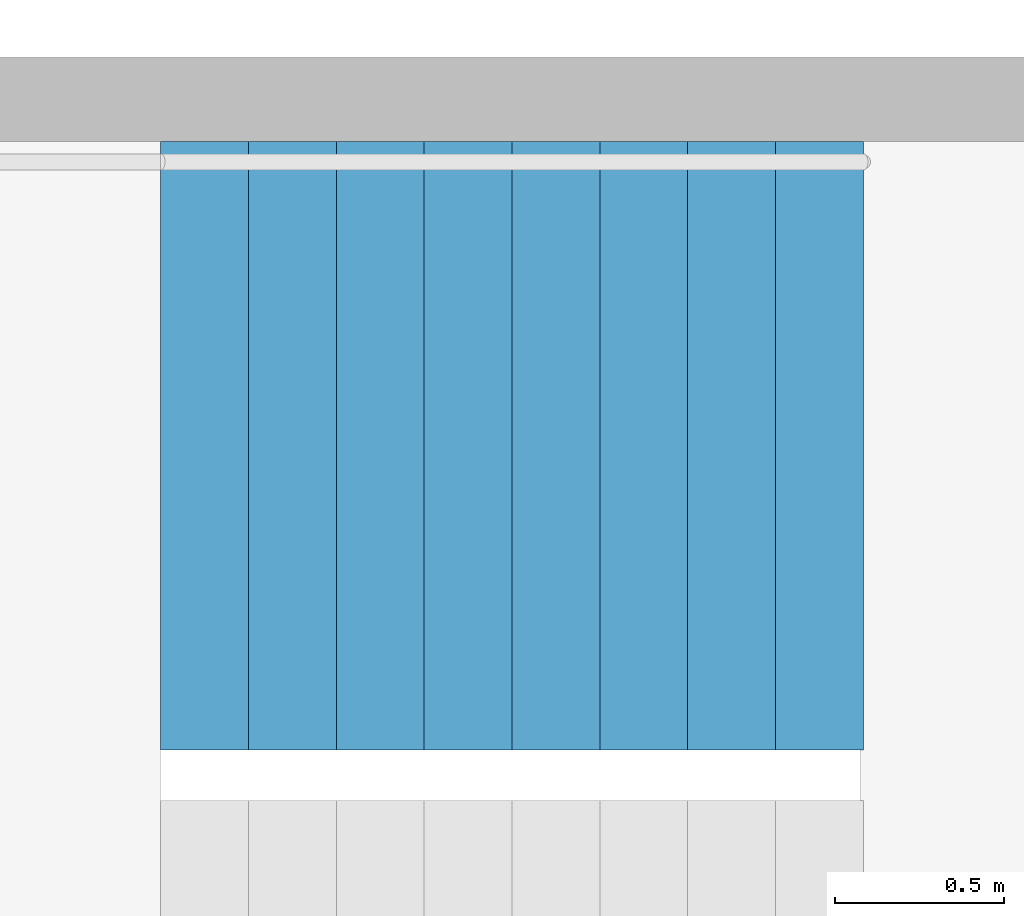
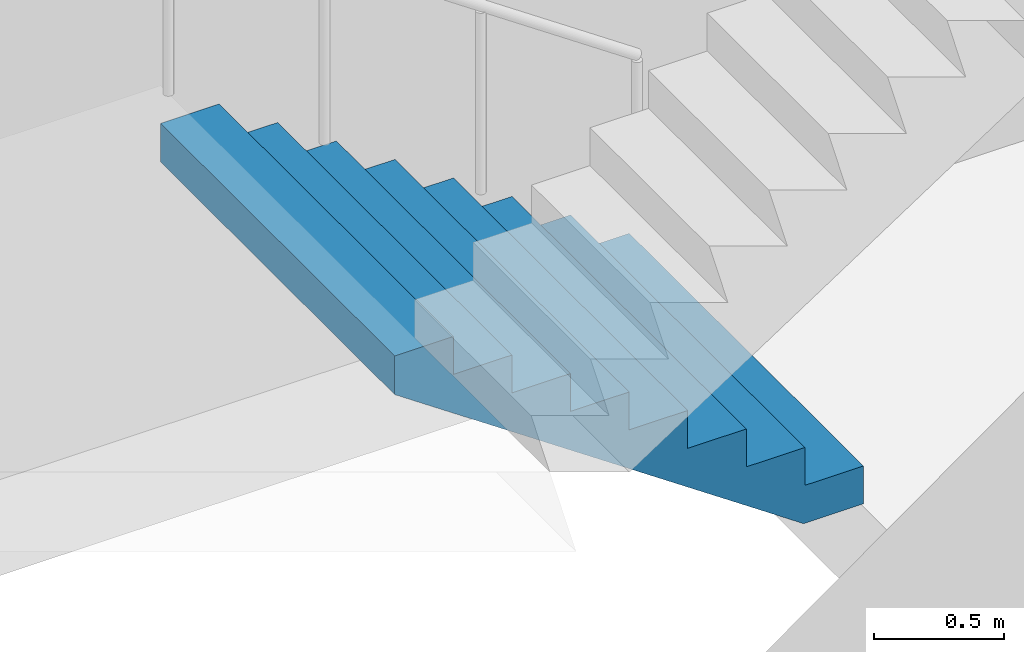
# One storey, part 19 of 26: 1 stair flight, 1 element without a shape of its own.
"""IFC4 building model written with IfcOpenShell, lengths in metres."""

from ifc_helpers import new_model, si_unit, direction, frame, origin, place, context, subcontext, project, spatial, triangles, material, type_object, element, aggregate, save


model = new_model("IFC4")

# Units and contexts
model_context = context("Model", 3, precision=1e-05, world=origin(), true_north=direction((0.0, 1.0)))
body_context = subcontext(model_context, "Body", "Model", "MODEL_VIEW")
ifc_project = project(units=[si_unit("LENGTHUNIT", "METRE"), si_unit("AREAUNIT", "SQUARE_METRE"), si_unit("VOLUMEUNIT", "CUBIC_METRE"), si_unit("PLANEANGLEUNIT", "RADIAN"), si_unit("MASSUNIT", "GRAM", prefix="KILO")], contexts=[model_context])

# Site, building, storey
site_placement = place(None, origin())
site = spatial("IfcSite", under=ifc_project, at=site_placement, CompositionType="ELEMENT")
building_placement = place(site_placement, origin())
building = spatial("IfcBuilding", under=site, at=building_placement, Name="Hakoniwa Tower and Hamabe Station Hall", CompositionType="ELEMENT")
storey_placement = place(building_placement, frame((0.0, 0.0, 189.800048828125)))
storey = spatial("IfcBuildingStorey", under=building, at=storey_placement, Name="L53", CompositionType="ELEMENT", Elevation=189.800048828125)

# Stair, stair flight
ifc_material_1 = material(Name="Concrete C40", Category="concrete")
stair_type = type_object("IfcStairType", Name="ESCAPE STAIR 1800", PredefinedType="HALF_TURN_STAIR", material=ifc_material_1)
stair_placement = place(storey_placement, origin())
stair = element("IfcStair", 1, at=stair_placement, inside=storey, type_object=stair_type, Name="Escape stair ST-2 L53", PredefinedType="HALF_TURN_STAIR")
ifc_material_2 = material(Name="Concrete C40", Category="concrete")
stair_flight_type = type_object("IfcStairFlightType", Name="STAIR FLIGHT 1800", PredefinedType="STRAIGHT", material=ifc_material_2)
stair_flight_placement = place(storey_placement, frame((-23.39990234375, -4.64990234375, 0.0), z_axis=(0.0, 0.0, 1.0), x_axis=(-1.0, 0.0, 0.0)))
stair_flight = element("IfcStairFlight", 2, at=stair_flight_placement, type_object=stair_flight_type, Name="ST-2 flight 1", NumberOfRisers=9, NumberOfTreads=8, PredefinedType="STRAIGHT", RiserHeight=0.177777778, TreadLength=0.26, context=body_context, shape_type="Tessellation", body=[
    triangles([(0.0, 0.89990234375, 0.0), (0.260009765625, 0.89990234375, 0.0), (0.265625, 0.89990234375, 0.0), (0.52001953125, 0.89990234375, 0.174072265625), (0.780029296875, 0.89990234375, 0.351806640625), (1.0400390625, 0.89990234375, 0.529541015625), (1.300048828125, 0.89990234375, 0.707275390625), (1.56005859375, 0.89990234375, 0.885009765625), (1.820068359375, 0.89990234375, 1.062744140625), (2.080078125, 0.89990234375, 1.24072265625), (2.080078125, 0.89990234375, 1.422119140625), (1.820068359375, 0.89990234375, 1.422119140625), (1.820068359375, 0.89990234375, 1.244384765625), (1.56005859375, 0.89990234375, 1.244384765625), (1.56005859375, 0.89990234375, 1.066650390625), (1.300048828125, 0.89990234375, 1.066650390625), (1.300048828125, 0.89990234375, 0.888916015625), (1.0400390625, 0.89990234375, 0.888916015625), (1.0400390625, 0.89990234375, 0.711181640625), (0.780029296875, 0.89990234375, 0.711181640625), (0.780029296875, 0.89990234375, 0.533447265625), (0.52001953125, 0.89990234375, 0.533447265625), (0.52001953125, 0.89990234375, 0.35546875), (0.265625, 0.89990234375, 0.35546875), (0.260009765625, 0.89990234375, 0.35546875), (0.260009765625, 0.89990234375, 0.177734375), (0.0, 0.89990234375, 0.177734375), (0.0, 0.06005859375, 0.0), (0.260009765625, 0.06005859375, 0.0), (0.265625, 0.06005859375, 0.0), (0.52001953125, 0.06005859375, 0.174072265625), (0.780029296875, 0.06005859375, 0.351806640625), (1.0400390625, 0.06005859375, 0.529541015625), (1.300048828125, 0.06005859375, 0.707275390625), (1.56005859375, 0.06005859375, 0.885009765625), (1.820068359375, 0.06005859375, 1.062744140625), (2.080078125, 0.06005859375, 1.24072265625), (2.080078125, 0.06005859375, 1.422119140625), (1.820068359375, 0.06005859375, 1.422119140625), (1.820068359375, 0.06005859375, 1.244384765625), (1.56005859375, 0.06005859375, 1.244384765625), (1.56005859375, 0.06005859375, 1.066650390625), (1.300048828125, 0.06005859375, 1.066650390625), (1.300048828125, 0.06005859375, 0.888916015625), (1.0400390625, 0.06005859375, 0.888916015625), (1.0400390625, 0.06005859375, 0.711181640625), (0.780029296875, 0.06005859375, 0.711181640625), (0.780029296875, 0.06005859375, 0.533447265625), (0.52001953125, 0.06005859375, 0.533447265625), (0.52001953125, 0.06005859375, 0.35546875), (0.265625, 0.06005859375, 0.35546875), (0.260009765625, 0.06005859375, 0.35546875), (0.260009765625, 0.06005859375, 0.177734375), (0.0, 0.06005859375, 0.177734375), (0.0, 0.04296875, 0.0), (0.260009765625, 0.04296875, 0.0), (0.265625, 0.04296875, 0.0), (0.52001953125, 0.04296875, 0.174072265625), (0.780029296875, 0.04296875, 0.351806640625), (1.0400390625, 0.04296875, 0.529541015625), (1.300048828125, 0.04296875, 0.707275390625), (1.56005859375, 0.04296875, 0.885009765625), (1.820068359375, 0.04296875, 1.062744140625), (2.080078125, 0.04296875, 1.24072265625), (2.080078125, 0.04296875, 1.422119140625), (1.820068359375, 0.04296875, 1.422119140625), (1.820068359375, 0.04296875, 1.244384765625), (1.56005859375, 0.04296875, 1.244384765625), (1.56005859375, 0.04296875, 1.066650390625), (1.300048828125, 0.04296875, 1.066650390625), (1.300048828125, 0.04296875, 0.888916015625), (1.0400390625, 0.04296875, 0.888916015625), (1.0400390625, 0.04296875, 0.711181640625), (0.780029296875, 0.04296875, 0.711181640625), (0.780029296875, 0.04296875, 0.533447265625), (0.52001953125, 0.04296875, 0.533447265625), (0.52001953125, 0.04296875, 0.35546875), (0.265625, 0.04296875, 0.35546875), (0.260009765625, 0.04296875, 0.35546875), (0.260009765625, 0.04296875, 0.177734375), (0.0, 0.04296875, 0.177734375), (0.0, 0.025634765625, 0.0), (0.260009765625, 0.025634765625, 0.0), (0.265625, 0.025634765625, 0.0), (0.52001953125, 0.025634765625, 0.174072265625), (0.780029296875, 0.025634765625, 0.351806640625), (1.0400390625, 0.025634765625, 0.529541015625), (1.300048828125, 0.025634765625, 0.707275390625), (1.56005859375, 0.025634765625, 0.885009765625), (1.820068359375, 0.025634765625, 1.062744140625), (2.080078125, 0.025634765625, 1.24072265625), (2.080078125, 0.025634765625, 1.422119140625), (1.820068359375, 0.025634765625, 1.422119140625), (1.820068359375, 0.025634765625, 1.244384765625), (1.56005859375, 0.025634765625, 1.244384765625), (1.56005859375, 0.025634765625, 1.066650390625), (1.300048828125, 0.025634765625, 1.066650390625), (1.300048828125, 0.025634765625, 0.888916015625), (1.0400390625, 0.025634765625, 0.888916015625), (1.0400390625, 0.025634765625, 0.711181640625), (0.780029296875, 0.025634765625, 0.711181640625), (0.780029296875, 0.025634765625, 0.533447265625), (0.52001953125, 0.025634765625, 0.533447265625), (0.52001953125, 0.025634765625, 0.35546875), (0.265625, 0.025634765625, 0.35546875), (0.260009765625, 0.025634765625, 0.35546875), (0.260009765625, 0.025634765625, 0.177734375), (0.0, 0.025634765625, 0.177734375), (0.0, 0.008544921875, 0.0), (0.260009765625, 0.008544921875, 0.0), (0.265625, 0.008544921875, 0.0), (0.52001953125, 0.008544921875, 0.174072265625), (0.780029296875, 0.008544921875, 0.351806640625), (1.0400390625, 0.008544921875, 0.529541015625), (1.300048828125, 0.008544921875, 0.707275390625), (1.56005859375, 0.008544921875, 0.885009765625), (1.820068359375, 0.008544921875, 1.062744140625), (2.080078125, 0.008544921875, 1.24072265625), (2.080078125, 0.008544921875, 1.422119140625), (1.820068359375, 0.008544921875, 1.422119140625), (1.820068359375, 0.008544921875, 1.244384765625), (1.56005859375, 0.008544921875, 1.244384765625), (1.56005859375, 0.008544921875, 1.066650390625), (1.300048828125, 0.008544921875, 1.066650390625), (1.300048828125, 0.008544921875, 0.888916015625), (1.0400390625, 0.008544921875, 0.888916015625), (1.0400390625, 0.008544921875, 0.711181640625), (0.780029296875, 0.008544921875, 0.711181640625), (0.780029296875, 0.008544921875, 0.533447265625), (0.52001953125, 0.008544921875, 0.533447265625), (0.52001953125, 0.008544921875, 0.35546875), (0.265625, 0.008544921875, 0.35546875), (0.260009765625, 0.008544921875, 0.35546875), (0.260009765625, 0.008544921875, 0.177734375), (0.0, 0.008544921875, 0.177734375), (0.0, -0.008544921875, 0.0), (0.260009765625, -0.008544921875, 0.0), (0.265625, -0.008544921875, 0.0), (0.52001953125, -0.008544921875, 0.174072265625), (0.780029296875, -0.008544921875, 0.351806640625), (1.0400390625, -0.008544921875, 0.529541015625), (1.300048828125, -0.008544921875, 0.707275390625), (1.56005859375, -0.008544921875, 0.885009765625), (1.820068359375, -0.008544921875, 1.062744140625), (2.080078125, -0.008544921875, 1.24072265625), (2.080078125, -0.008544921875, 1.422119140625), (1.820068359375, -0.008544921875, 1.422119140625), (1.820068359375, -0.008544921875, 1.244384765625), (1.56005859375, -0.008544921875, 1.244384765625), (1.56005859375, -0.008544921875, 1.066650390625), (1.300048828125, -0.008544921875, 1.066650390625), (1.300048828125, -0.008544921875, 0.888916015625), (1.0400390625, -0.008544921875, 0.888916015625), (1.0400390625, -0.008544921875, 0.711181640625), (0.780029296875, -0.008544921875, 0.711181640625), (0.780029296875, -0.008544921875, 0.533447265625), (0.52001953125, -0.008544921875, 0.533447265625), (0.52001953125, -0.008544921875, 0.35546875), (0.265625, -0.008544921875, 0.35546875), (0.260009765625, -0.008544921875, 0.35546875), (0.260009765625, -0.008544921875, 0.177734375), (0.0, -0.008544921875, 0.177734375), (0.0, -0.025634765625, 0.0), (0.260009765625, -0.025634765625, 0.0), (0.265625, -0.025634765625, 0.0), (0.52001953125, -0.025634765625, 0.174072265625), (0.780029296875, -0.025634765625, 0.351806640625), (1.0400390625, -0.025634765625, 0.529541015625), (1.300048828125, -0.025634765625, 0.707275390625), (1.56005859375, -0.025634765625, 0.885009765625), (1.820068359375, -0.025634765625, 1.062744140625), (2.080078125, -0.025634765625, 1.24072265625), (2.080078125, -0.025634765625, 1.422119140625), (1.820068359375, -0.025634765625, 1.422119140625), (1.820068359375, -0.025634765625, 1.244384765625), (1.56005859375, -0.025634765625, 1.244384765625), (1.56005859375, -0.025634765625, 1.066650390625), (1.300048828125, -0.025634765625, 1.066650390625), (1.300048828125, -0.025634765625, 0.888916015625), (1.0400390625, -0.025634765625, 0.888916015625), (1.0400390625, -0.025634765625, 0.711181640625), (0.780029296875, -0.025634765625, 0.711181640625), (0.780029296875, -0.025634765625, 0.533447265625), (0.52001953125, -0.025634765625, 0.533447265625), (0.52001953125, -0.025634765625, 0.35546875), (0.265625, -0.025634765625, 0.35546875), (0.260009765625, -0.025634765625, 0.35546875), (0.260009765625, -0.025634765625, 0.177734375), (0.0, -0.025634765625, 0.177734375), (0.0, -0.04296875, 0.0), (0.260009765625, -0.04296875, 0.0), (0.265625, -0.04296875, 0.0), (0.52001953125, -0.04296875, 0.174072265625), (0.780029296875, -0.04296875, 0.351806640625), (1.0400390625, -0.04296875, 0.529541015625), (1.300048828125, -0.04296875, 0.707275390625), (1.56005859375, -0.04296875, 0.885009765625), (1.820068359375, -0.04296875, 1.062744140625), (2.080078125, -0.04296875, 1.24072265625), (2.080078125, -0.04296875, 1.422119140625), (1.820068359375, -0.04296875, 1.422119140625), (1.820068359375, -0.04296875, 1.244384765625), (1.56005859375, -0.04296875, 1.244384765625), (1.56005859375, -0.04296875, 1.066650390625), (1.300048828125, -0.04296875, 1.066650390625), (1.300048828125, -0.04296875, 0.888916015625), (1.0400390625, -0.04296875, 0.888916015625), (1.0400390625, -0.04296875, 0.711181640625), (0.780029296875, -0.04296875, 0.711181640625), (0.780029296875, -0.04296875, 0.533447265625), (0.52001953125, -0.04296875, 0.533447265625), (0.52001953125, -0.04296875, 0.35546875), (0.265625, -0.04296875, 0.35546875), (0.260009765625, -0.04296875, 0.35546875), (0.260009765625, -0.04296875, 0.177734375), (0.0, -0.04296875, 0.177734375), (0.0, -0.06005859375, 0.0), (0.260009765625, -0.06005859375, 0.0), (0.265625, -0.06005859375, 0.0), (0.52001953125, -0.06005859375, 0.174072265625), (0.780029296875, -0.06005859375, 0.351806640625), (1.0400390625, -0.06005859375, 0.529541015625), (1.300048828125, -0.06005859375, 0.707275390625), (1.56005859375, -0.06005859375, 0.885009765625), (1.820068359375, -0.06005859375, 1.062744140625), (2.080078125, -0.06005859375, 1.24072265625), (2.080078125, -0.06005859375, 1.422119140625), (1.820068359375, -0.06005859375, 1.422119140625), (1.820068359375, -0.06005859375, 1.244384765625), (1.56005859375, -0.06005859375, 1.244384765625), (1.56005859375, -0.06005859375, 1.066650390625), (1.300048828125, -0.06005859375, 1.066650390625), (1.300048828125, -0.06005859375, 0.888916015625), (1.0400390625, -0.06005859375, 0.888916015625), (1.0400390625, -0.06005859375, 0.711181640625), (0.780029296875, -0.06005859375, 0.711181640625), (0.780029296875, -0.06005859375, 0.533447265625), (0.52001953125, -0.06005859375, 0.533447265625), (0.52001953125, -0.06005859375, 0.35546875), (0.265625, -0.06005859375, 0.35546875), (0.260009765625, -0.06005859375, 0.35546875), (0.260009765625, -0.06005859375, 0.177734375), (0.0, -0.06005859375, 0.177734375), (0.0, -0.89990234375, 0.0), (0.260009765625, -0.89990234375, 0.0), (0.265625, -0.89990234375, 0.0), (0.52001953125, -0.89990234375, 0.174072265625), (0.780029296875, -0.89990234375, 0.351806640625), (1.0400390625, -0.89990234375, 0.529541015625), (1.300048828125, -0.89990234375, 0.707275390625), (1.56005859375, -0.89990234375, 0.885009765625), (1.820068359375, -0.89990234375, 1.062744140625), (2.080078125, -0.89990234375, 1.24072265625), (2.080078125, -0.89990234375, 1.422119140625), (1.820068359375, -0.89990234375, 1.422119140625), (1.820068359375, -0.89990234375, 1.244384765625), (1.56005859375, -0.89990234375, 1.244384765625), (1.56005859375, -0.89990234375, 1.066650390625), (1.300048828125, -0.89990234375, 1.066650390625), (1.300048828125, -0.89990234375, 0.888916015625), (1.0400390625, -0.89990234375, 0.888916015625), (1.0400390625, -0.89990234375, 0.711181640625), (0.780029296875, -0.89990234375, 0.711181640625), (0.780029296875, -0.89990234375, 0.533447265625), (0.52001953125, -0.89990234375, 0.533447265625), (0.52001953125, -0.89990234375, 0.35546875), (0.265625, -0.89990234375, 0.35546875), (0.260009765625, -0.89990234375, 0.35546875), (0.260009765625, -0.89990234375, 0.177734375), (0.0, -0.89990234375, 0.177734375)], [[2, 27, 26], [245, 269, 270], [2, 1, 27], [245, 270, 244], [3, 25, 24], [246, 267, 268], [3, 26, 25], [246, 268, 269], [3, 2, 26], [246, 269, 245], [4, 24, 23], [247, 266, 267], [4, 3, 24], [247, 267, 246], [5, 22, 21], [248, 264, 265], [5, 23, 22], [248, 265, 266], [5, 4, 23], [248, 266, 247], [6, 20, 19], [249, 262, 263], [6, 21, 20], [249, 263, 264], [6, 5, 21], [249, 264, 248], [7, 18, 17], [250, 260, 261], [7, 19, 18], [250, 261, 262], [7, 6, 19], [250, 262, 249], [8, 16, 15], [251, 258, 259], [8, 17, 16], [251, 259, 260], [8, 7, 17], [251, 260, 250], [9, 14, 13], [252, 256, 257], [9, 15, 14], [252, 257, 258], [9, 8, 15], [252, 258, 251], [10, 12, 11], [253, 254, 255], [10, 13, 12], [253, 255, 256], [10, 9, 13], [253, 256, 252], [1, 2, 29], [1, 29, 28], [28, 29, 56], [28, 56, 55], [55, 56, 83], [55, 83, 82], [82, 83, 110], [82, 110, 109], [109, 110, 137], [109, 137, 136], [136, 137, 164], [136, 164, 163], [163, 164, 191], [163, 191, 190], [190, 191, 218], [190, 218, 217], [217, 218, 245], [217, 245, 244], [2, 3, 30], [2, 30, 29], [29, 30, 57], [29, 57, 56], [56, 57, 84], [56, 84, 83], [83, 84, 111], [83, 111, 110], [110, 111, 138], [110, 138, 137], [137, 138, 165], [137, 165, 164], [164, 165, 192], [164, 192, 191], [191, 192, 219], [191, 219, 218], [218, 219, 246], [218, 246, 245], [3, 4, 31], [3, 31, 30], [30, 31, 58], [30, 58, 57], [57, 58, 85], [57, 85, 84], [84, 85, 112], [84, 112, 111], [111, 112, 139], [111, 139, 138], [138, 139, 166], [138, 166, 165], [165, 166, 193], [165, 193, 192], [192, 193, 220], [192, 220, 219], [219, 220, 247], [219, 247, 246], [4, 5, 32], [4, 32, 31], [31, 32, 59], [31, 59, 58], [58, 59, 86], [58, 86, 85], [85, 86, 113], [85, 113, 112], [112, 113, 140], [112, 140, 139], [139, 140, 167], [139, 167, 166], [166, 167, 194], [166, 194, 193], [193, 194, 221], [193, 221, 220], [220, 221, 248], [220, 248, 247], [5, 6, 33], [5, 33, 32], [32, 33, 60], [32, 60, 59], [59, 60, 87], [59, 87, 86], [86, 87, 114], [86, 114, 113], [113, 114, 141], [113, 141, 140], [140, 141, 168], [140, 168, 167], [167, 168, 195], [167, 195, 194], [194, 195, 222], [194, 222, 221], [221, 222, 249], [221, 249, 248], [6, 7, 34], [6, 34, 33], [33, 34, 61], [33, 61, 60], [60, 61, 88], [60, 88, 87], [87, 88, 115], [87, 115, 114], [114, 115, 142], [114, 142, 141], [141, 142, 169], [141, 169, 168], [168, 169, 196], [168, 196, 195], [195, 196, 223], [195, 223, 222], [222, 223, 250], [222, 250, 249], [7, 8, 35], [7, 35, 34], [34, 35, 62], [34, 62, 61], [61, 62, 89], [61, 89, 88], [88, 89, 116], [88, 116, 115], [115, 116, 143], [115, 143, 142], [142, 143, 170], [142, 170, 169], [169, 170, 197], [169, 197, 196], [196, 197, 224], [196, 224, 223], [223, 224, 251], [223, 251, 250], [8, 9, 36], [8, 36, 35], [35, 36, 63], [35, 63, 62], [62, 63, 90], [62, 90, 89], [89, 90, 117], [89, 117, 116], [116, 117, 144], [116, 144, 143], [143, 144, 171], [143, 171, 170], [170, 171, 198], [170, 198, 197], [197, 198, 225], [197, 225, 224], [224, 225, 252], [224, 252, 251], [9, 10, 37], [9, 37, 36], [36, 37, 64], [36, 64, 63], [63, 64, 91], [63, 91, 90], [90, 91, 118], [90, 118, 117], [117, 118, 145], [117, 145, 144], [144, 145, 172], [144, 172, 171], [171, 172, 199], [171, 199, 198], [198, 199, 226], [198, 226, 225], [225, 226, 253], [225, 253, 252], [10, 11, 38], [10, 38, 37], [37, 38, 65], [37, 65, 64], [64, 65, 92], [64, 92, 91], [91, 92, 119], [91, 119, 118], [118, 119, 146], [118, 146, 145], [145, 146, 173], [145, 173, 172], [172, 173, 200], [172, 200, 199], [199, 200, 227], [199, 227, 226], [226, 227, 254], [226, 254, 253], [11, 12, 39], [11, 39, 38], [38, 39, 66], [38, 66, 65], [65, 66, 93], [65, 93, 92], [92, 93, 120], [92, 120, 119], [119, 120, 147], [119, 147, 146], [146, 147, 174], [146, 174, 173], [173, 174, 201], [173, 201, 200], [200, 201, 228], [200, 228, 227], [227, 228, 255], [227, 255, 254], [12, 13, 40], [12, 40, 39], [39, 40, 67], [39, 67, 66], [66, 67, 94], [66, 94, 93], [93, 94, 121], [93, 121, 120], [120, 121, 148], [120, 148, 147], [147, 148, 175], [147, 175, 174], [174, 175, 202], [174, 202, 201], [201, 202, 229], [201, 229, 228], [228, 229, 256], [228, 256, 255], [13, 14, 41], [13, 41, 40], [40, 41, 68], [40, 68, 67], [67, 68, 95], [67, 95, 94], [94, 95, 122], [94, 122, 121], [121, 122, 149], [121, 149, 148], [148, 149, 176], [148, 176, 175], [175, 176, 203], [175, 203, 202], [202, 203, 230], [202, 230, 229], [229, 230, 257], [229, 257, 256], [14, 15, 42], [14, 42, 41], [41, 42, 69], [41, 69, 68], [68, 69, 96], [68, 96, 95], [95, 96, 123], [95, 123, 122], [122, 123, 150], [122, 150, 149], [149, 150, 177], [149, 177, 176], [176, 177, 204], [176, 204, 203], [203, 204, 231], [203, 231, 230], [230, 231, 258], [230, 258, 257], [15, 16, 43], [15, 43, 42], [42, 43, 70], [42, 70, 69], [69, 70, 97], [69, 97, 96], [96, 97, 124], [96, 124, 123], [123, 124, 151], [123, 151, 150], [150, 151, 178], [150, 178, 177], [177, 178, 205], [177, 205, 204], [204, 205, 232], [204, 232, 231], [231, 232, 259], [231, 259, 258], [16, 17, 44], [16, 44, 43], [43, 44, 71], [43, 71, 70], [70, 71, 98], [70, 98, 97], [97, 98, 125], [97, 125, 124], [124, 125, 152], [124, 152, 151], [151, 152, 179], [151, 179, 178], [178, 179, 206], [178, 206, 205], [205, 206, 233], [205, 233, 232], [232, 233, 260], [232, 260, 259], [17, 18, 45], [17, 45, 44], [44, 45, 72], [44, 72, 71], [71, 72, 99], [71, 99, 98], [98, 99, 126], [98, 126, 125], [125, 126, 153], [125, 153, 152], [152, 153, 180], [152, 180, 179], [179, 180, 207], [179, 207, 206], [206, 207, 234], [206, 234, 233], [233, 234, 261], [233, 261, 260], [18, 19, 46], [18, 46, 45], [45, 46, 73], [45, 73, 72], [72, 73, 100], [72, 100, 99], [99, 100, 127], [99, 127, 126], [126, 127, 154], [126, 154, 153], [153, 154, 181], [153, 181, 180], [180, 181, 208], [180, 208, 207], [207, 208, 235], [207, 235, 234], [234, 235, 262], [234, 262, 261], [19, 20, 47], [19, 47, 46], [46, 47, 74], [46, 74, 73], [73, 74, 101], [73, 101, 100], [100, 101, 128], [100, 128, 127], [127, 128, 155], [127, 155, 154], [154, 155, 182], [154, 182, 181], [181, 182, 209], [181, 209, 208], [208, 209, 236], [208, 236, 235], [235, 236, 263], [235, 263, 262], [20, 21, 48], [20, 48, 47], [47, 48, 75], [47, 75, 74], [74, 75, 102], [74, 102, 101], [101, 102, 129], [101, 129, 128], [128, 129, 156], [128, 156, 155], [155, 156, 183], [155, 183, 182], [182, 183, 210], [182, 210, 209], [209, 210, 237], [209, 237, 236], [236, 237, 264], [236, 264, 263], [21, 22, 49], [21, 49, 48], [48, 49, 76], [48, 76, 75], [75, 76, 103], [75, 103, 102], [102, 103, 130], [102, 130, 129], [129, 130, 157], [129, 157, 156], [156, 157, 184], [156, 184, 183], [183, 184, 211], [183, 211, 210], [210, 211, 238], [210, 238, 237], [237, 238, 265], [237, 265, 264], [22, 23, 50], [22, 50, 49], [49, 50, 77], [49, 77, 76], [76, 77, 104], [76, 104, 103], [103, 104, 131], [103, 131, 130], [130, 131, 158], [130, 158, 157], [157, 158, 185], [157, 185, 184], [184, 185, 212], [184, 212, 211], [211, 212, 239], [211, 239, 238], [238, 239, 266], [238, 266, 265], [23, 24, 51], [23, 51, 50], [50, 51, 78], [50, 78, 77], [77, 78, 105], [77, 105, 104], [104, 105, 132], [104, 132, 131], [131, 132, 159], [131, 159, 158], [158, 159, 186], [158, 186, 185], [185, 186, 213], [185, 213, 212], [212, 213, 240], [212, 240, 239], [239, 240, 267], [239, 267, 266], [24, 25, 52], [24, 52, 51], [51, 52, 79], [51, 79, 78], [78, 79, 106], [78, 106, 105], [105, 106, 133], [105, 133, 132], [132, 133, 160], [132, 160, 159], [159, 160, 187], [159, 187, 186], [186, 187, 214], [186, 214, 213], [213, 214, 241], [213, 241, 240], [240, 241, 268], [240, 268, 267], [25, 26, 53], [25, 53, 52], [52, 53, 80], [52, 80, 79], [79, 80, 107], [79, 107, 106], [106, 107, 134], [106, 134, 133], [133, 134, 161], [133, 161, 160], [160, 161, 188], [160, 188, 187], [187, 188, 215], [187, 215, 214], [214, 215, 242], [214, 242, 241], [241, 242, 269], [241, 269, 268], [26, 27, 54], [26, 54, 53], [53, 54, 81], [53, 81, 80], [80, 81, 108], [80, 108, 107], [107, 108, 135], [107, 135, 134], [134, 135, 162], [134, 162, 161], [161, 162, 189], [161, 189, 188], [188, 189, 216], [188, 216, 215], [215, 216, 243], [215, 243, 242], [242, 243, 270], [242, 270, 269], [27, 1, 28], [27, 28, 54], [54, 28, 55], [54, 55, 81], [81, 55, 82], [81, 82, 108], [108, 82, 109], [108, 109, 135], [135, 109, 136], [135, 136, 162], [162, 136, 163], [162, 163, 189], [189, 163, 190], [189, 190, 216], [216, 190, 217], [216, 217, 243], [243, 217, 244], [243, 244, 270]], closed=True),
])
aggregate(stair, [stair_flight])

save(model, "model.ifc")
